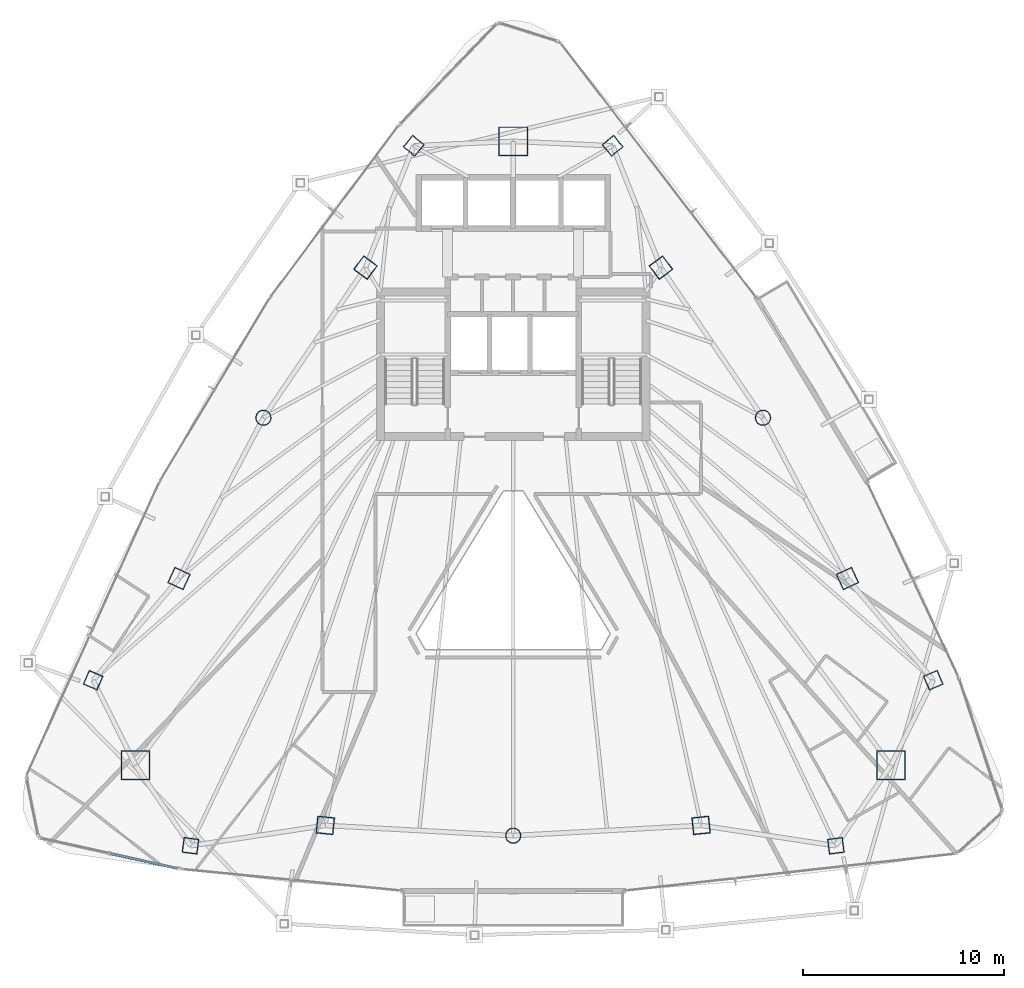
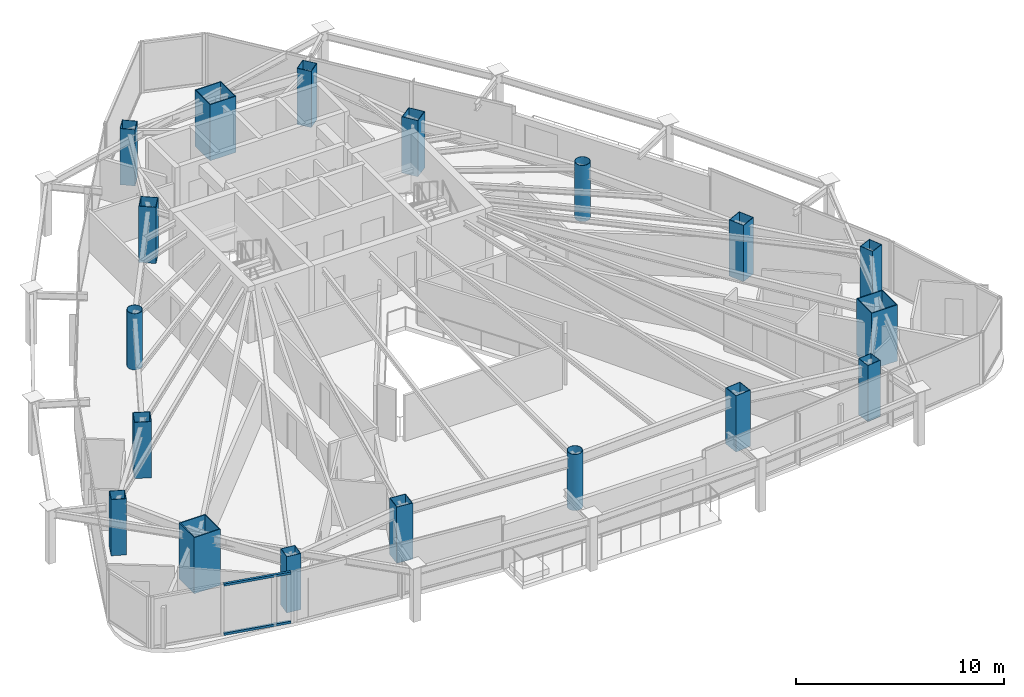
# One storey, part 1 of 31: 18 columns, 2 members, 1 element without a shape of its own.
"""IFC4 building model written with IfcOpenShell, lengths in metres."""

from ifc_helpers import new_model, si_unit, direction, frame, origin, origin_2d, place, context, subcontext, project, spatial, hollow_rectangle, hollow_circle, extrude, material, layer, layer_set, material_profile, profile_set, type_object, element, aggregate, save


model = new_model("IFC4")

# Units and contexts
model_context = context("Model", 3, precision=1e-05, world=origin(), true_north=direction((0.0, 1.0)))
body_context = subcontext(model_context, "Body", "Model", "MODEL_VIEW")
ifc_project = project(units=[si_unit("LENGTHUNIT", "METRE"), si_unit("AREAUNIT", "SQUARE_METRE"), si_unit("VOLUMEUNIT", "CUBIC_METRE"), si_unit("PLANEANGLEUNIT", "RADIAN"), si_unit("MASSUNIT", "GRAM", prefix="KILO")], contexts=[model_context])

# Site, building, storey
site_placement = place(None, origin())
site = spatial("IfcSite", under=ifc_project, at=site_placement, CompositionType="ELEMENT")
building_placement = place(site_placement, origin())
building = spatial("IfcBuilding", under=site, at=building_placement, Name="Orvanel Arch Residences", CompositionType="ELEMENT")
storey_placement = place(building_placement, frame((0.0, 0.0, 183.64990234375)))
storey = spatial("IfcBuildingStorey", under=building, at=storey_placement, Name="L52", CompositionType="ELEMENT", Elevation=183.64990234375)

# Columns
ifc_material_1 = material(Name="Structural steel AS/NZS 1163 C450L0 (Grade 450)", Category="steel")
ifc_material_profile_1 = material_profile(ifc_material_1, hollow_circle(Radius=0.381103515625, WallThickness=0.02197265625, at=origin_2d()), Name="CHS762x22")
ifc_profile_set_1 = profile_set([ifc_material_profile_1], Name="Structural steel AS/NZS 1163 C450L0 (Grade 450)")
column_type_1 = type_object("IfcColumnType", Name="CC-762", PredefinedType="COLUMN", material=ifc_profile_set_1)
for number, where, z_axis, x_axis, name in (
    (1, (20.569091796875, 27.64111328125, 0.0), (0.0, 0.0, 1.0), (1.0, 0.0, 0.0), "L52 High-Rise Tube Column 02"),
    (2, (33.0, 6.843994140625, 0.0), (0.0, 0.0, 1.0), (1.0, 0.0, 0.0), "L52 High-Rise Tube Column 05"),
    (3, (45.430908203125, 27.64111328125, 0.0), (0.0, 0.0, 1.0), (1.0, 0.0, 0.0), "L52 High-Rise Tube Column 08"),
):
    element("IfcColumn", number, at=place(storey_placement, frame(where, z_axis=z_axis, x_axis=x_axis)), inside=storey, type_object=column_type_1, Name=name, PredefinedType="COLUMN", context=body_context, shape_type="SweptSolid", body=[
        extrude(hollow_circle(Radius=0.381103515625, WallThickness=0.02197265625, at=origin_2d()), origin(), (0.0, 0.0, 1.0), 3.300048828125),
    ])
ifc_material_2 = material(Name="Structural steel AS/NZS 3678 Grade 450", Category="steel")
ifc_material_profile_2 = material_profile(ifc_material_2, hollow_rectangle(XDim=1.449951171875, YDim=1.449951171875, WallThickness=0.044921875, at=origin_2d()), Name="BOX1450x1450x45")
ifc_profile_set_2 = profile_set([ifc_material_profile_2], Name="Structural steel AS/NZS 3678 Grade 450")
column_type_2 = type_object("IfcColumnType", Name="MC-1450", PredefinedType="COLUMN", material=ifc_profile_set_2)
for number, where, z_axis, x_axis, name in (
    (4, (33.0, 41.39794921875, 0.0), (0.0, 0.0, 1.0), (1.0, 0.0, 0.0), "L52 Corner Mega-Column 1"),
    (5, (14.198974609375, 10.35107421875, 0.0), (0.0, 0.0, 1.0), (1.0, 0.0, 0.0), "L52 Corner Mega-Column 2"),
    (6, (51.801025390625, 10.35107421875, 0.0), (0.0, 0.0, 1.0), (1.0, 0.0, 0.0), "L52 Corner Mega-Column 3"),
):
    element("IfcColumn", number, at=place(storey_placement, frame(where, z_axis=z_axis, x_axis=x_axis)), inside=storey, type_object=column_type_2, Name=name, PredefinedType="COLUMN", context=body_context, shape_type="SweptSolid", body=[
        extrude(hollow_rectangle(XDim=1.449951171875, YDim=1.449951171875, WallThickness=0.044921875, at=origin_2d()), origin(), (0.0, 0.0, 1.0), 3.300048828125),
    ])
ifc_material_3 = material(Name="Structural steel AS/NZS 3678 Grade 350", Category="steel")
ifc_material_profile_3 = material_profile(ifc_material_3, hollow_rectangle(XDim=0.75, YDim=0.75, WallThickness=0.02490234375, at=origin_2d()), Name="BOX750x750x25")
ifc_profile_set_3 = profile_set([ifc_material_profile_3], Name="Structural steel AS/NZS 3678 Grade 350")
column_type_3 = type_object("IfcColumnType", Name="TC-750", PredefinedType="COLUMN", material=ifc_profile_set_3)
for number, where, z_axis, x_axis, name in (
    (7, (28.050048828125, 41.177978515625, 0.0), (0.0, 0.0, 1.0), (0.623879596709, 0.781520472419, 0.0), "L52 Mid-Rise Buttress Tube Column 01"),
    (8, (12.094970703125, 14.580078125, 0.0), (0.0, 0.0, 1.0), (0.397147890635, 0.917754625684, 0.0), "L52 Mid-Rise Buttress Tube Column 02"),
    (9, (16.94091796875, 6.339111328125, 0.0), (0.0, 0.0, 1.0), (-0.99189444259, 0.127064608601, 0.0), "L52 Mid-Rise Buttress Tube Column 03"),
    (10, (49.05908203125, 6.339111328125, 0.0), (0.0, 0.0, 1.0), (0.99189444259, 0.127064608601, 0.0), "L52 Mid-Rise Buttress Tube Column 04"),
    (11, (53.905029296875, 14.580078125, 0.0), (0.0, 0.0, 1.0), (-0.397147890635, 0.917754625684, 0.0), "L52 Mid-Rise Buttress Tube Column 05"),
    (12, (37.949951171875, 41.177978515625, 0.0), (0.0, 0.0, 1.0), (-0.623879596709, 0.781520472419, 0.0), "L52 Mid-Rise Buttress Tube Column 06"),
):
    element("IfcColumn", number, at=place(storey_placement, frame(where, z_axis=z_axis, x_axis=x_axis)), inside=storey, type_object=column_type_3, Name=name, PredefinedType="COLUMN", context=body_context, shape_type="SweptSolid", body=[
        extrude(hollow_rectangle(XDim=0.75, YDim=0.75, WallThickness=0.02490234375, at=origin_2d()), origin(), (0.0, 0.0, 1.0), 3.300048828125),
    ])
ifc_material_profile_4 = material_profile(ifc_material_3, hollow_rectangle(XDim=0.85009765625, YDim=0.85009765625, WallThickness=0.028076171875, at=origin_2d()), Name="BOX850x850x28")
ifc_profile_set_4 = profile_set([ifc_material_profile_4], Name="Structural steel AS/NZS 3678 Grade 350")
column_type_4 = type_object("IfcColumnType", Name="TC-850", PredefinedType="COLUMN", material=ifc_profile_set_4)
for number, where, z_axis, x_axis, name in (
    (13, (25.64794921875, 35.113037109375, 0.0), (0.0, 0.0, 1.0), (0.600420225326, 0.799684658487, 0.0), "L52 High-Rise Tube Column 01"),
    (14, (16.366943359375, 19.64208984375, 0.0), (0.0, 0.0, 1.0), (0.422618261741, 0.906307787037, 0.0), "L52 High-Rise Tube Column 03"),
    (15, (23.64892578125, 7.35498046875, 0.0), (0.0, 0.0, 1.0), (-0.994880708829, 0.101056297183, 0.0), "L52 High-Rise Tube Column 04"),
    (16, (42.35107421875, 7.35498046875, 0.0), (0.0, 0.0, 1.0), (0.994880708829, 0.101056297183, 0.0), "L52 High-Rise Tube Column 06"),
    (17, (49.633056640625, 19.64208984375, 0.0), (0.0, 0.0, 1.0), (-0.422618261741, 0.906307787037, 0.0), "L52 High-Rise Tube Column 07"),
    (18, (40.35205078125, 35.113037109375, 0.0), (0.0, 0.0, 1.0), (-0.600420225326, 0.799684658487, 0.0), "L52 High-Rise Tube Column 09"),
):
    element("IfcColumn", number, at=place(storey_placement, frame(where, z_axis=z_axis, x_axis=x_axis)), inside=storey, type_object=column_type_4, Name=name, PredefinedType="COLUMN", context=body_context, shape_type="SweptSolid", body=[
        extrude(hollow_rectangle(XDim=0.85009765625, YDim=0.85009765625, WallThickness=0.028076171875, at=origin_2d()), origin(), (0.0, 0.0, 1.0), 3.300048828125),
    ])

# Curtain wall, members
ifc_material_4 = material(Name="Bronze-anodised aluminium AA6063-T6", Category="aluminium")
ifc_layer = layer(ifc_material_4, 0.18994140625)
ifc_layer_set = layer_set([ifc_layer], Name="Bronze-anodised aluminium AA6063-T6")
curtain_wall_type = type_object("IfcCurtainWallType", Name="CW5-CRN-SYS", PredefinedType="NOTDEFINED", material=ifc_layer_set)
curtain_wall_placement = place(storey_placement, origin())
curtain_wall = element("IfcCurtainWall", 19, at=curtain_wall_placement, inside=storey, type_object=curtain_wall_type, Name="L52 CW5-CRN-SYS Unitised Curtain Wall", PredefinedType="NOTDEFINED")
ifc_material_profile_5 = material_profile(ifc_material_4, hollow_rectangle(XDim=0.1298828125, YDim=0.1298828125, WallThickness=0.00439453125, at=origin_2d()), Name="ALU130x130x4.5")
ifc_profile_set_5 = profile_set([ifc_material_profile_5], Name="Bronze-anodised aluminium AA6063-T6")
member_type = type_object("IfcMemberType", Name="TRN-130x130", PredefinedType="USERDEFINED", material=ifc_profile_set_5)
member_1_placement = place(storey_placement, frame((12.982177734375, 5.94873046875, 0.065185546875), z_axis=(0.976320956342, -0.216327044556, 0.0), x_axis=(0.216327044556, 0.976320956342, 0.0)))
member_1 = element("IfcMember", 20, at=member_1_placement, type_object=member_type, Name="CW-S5 transom 2.1", ObjectType="TRANSOM", PredefinedType="USERDEFINED", context=body_context, shape_type="SweptSolid", body=[
    extrude(hollow_rectangle(XDim=0.1298828125, YDim=0.1298828125, WallThickness=0.00439453125, at=origin_2d()), origin(), (0.0, 0.0, 1.0), 3.384521484375),
])
member_2_placement = place(storey_placement, frame((12.982177734375, 5.94873046875, 2.955078125), z_axis=(0.976320956342, -0.216327044556, 0.0), x_axis=(0.216327044556, 0.976320956342, 0.0)))
member_2 = element("IfcMember", 21, at=member_2_placement, type_object=member_type, Name="CW-S5 transom 2.2", ObjectType="TRANSOM", PredefinedType="USERDEFINED", context=body_context, shape_type="SweptSolid", body=[
    extrude(hollow_rectangle(XDim=0.1298828125, YDim=0.1298828125, WallThickness=0.00439453125, at=origin_2d()), origin(), (0.0, 0.0, 1.0), 3.384521484375),
])
aggregate(curtain_wall, [member_1, member_2])

save(model, "model.ifc")
